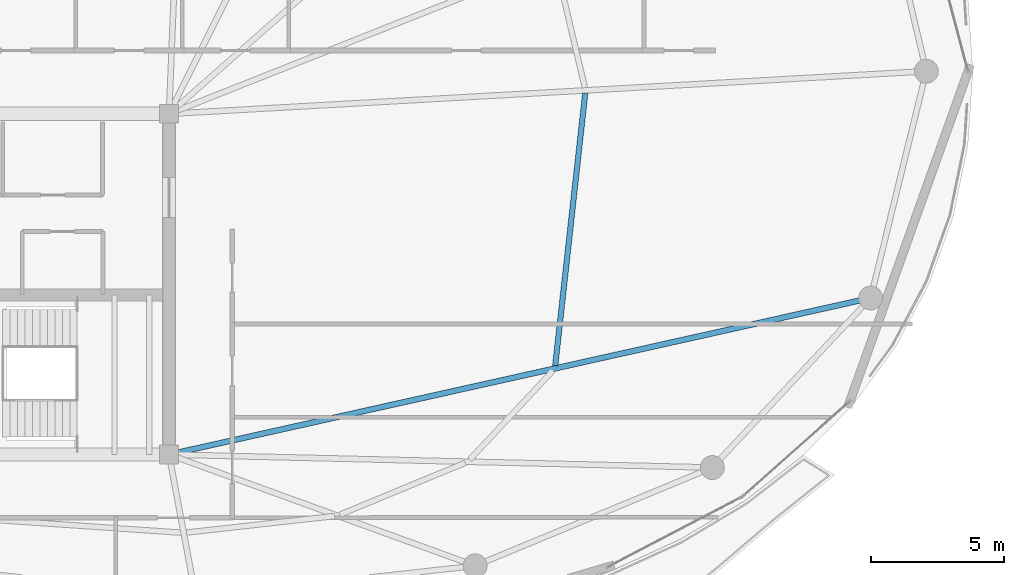
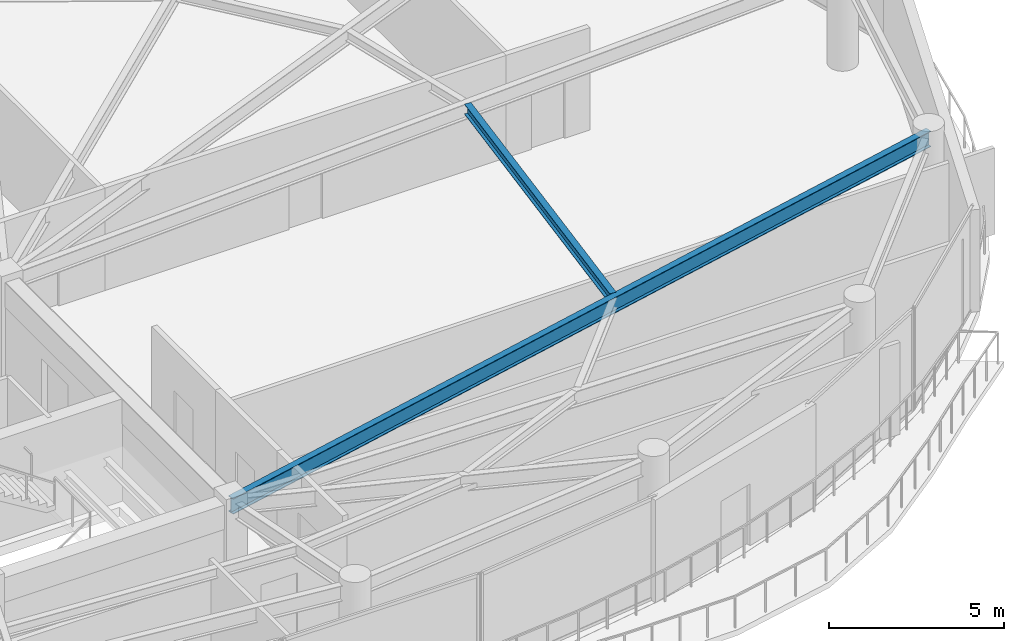
# One storey, part 14 of 29: 2 beams.
"""IFC4 building model written with IfcOpenShell, lengths in metres."""

from ifc_helpers import new_model, si_unit, direction, frame, origin, origin_2d, place, context, subcontext, project, spatial, i_section, extrude, material, material_profile, profile_set, type_object, element, save


model = new_model("IFC4")

# Units and contexts
model_context = context("Model", 3, precision=1e-05, world=origin(), true_north=direction((0.0, 1.0)))
body_context = subcontext(model_context, "Body", "Model", "MODEL_VIEW")
ifc_project = project(units=[si_unit("LENGTHUNIT", "METRE"), si_unit("AREAUNIT", "SQUARE_METRE"), si_unit("VOLUMEUNIT", "CUBIC_METRE"), si_unit("PLANEANGLEUNIT", "RADIAN"), si_unit("MASSUNIT", "GRAM", prefix="KILO")], contexts=[model_context])

# Site, building, storey
site_placement = place(None, origin())
site = spatial("IfcSite", under=ifc_project, at=site_placement, CompositionType="ELEMENT")
building_placement = place(site_placement, origin())
building = spatial("IfcBuilding", under=site, at=building_placement, Name="Kazevale Care Tower and Concert Hall", CompositionType="ELEMENT")
storey_placement = place(building_placement, frame((0.0, 0.0, 281.39990234375)))
storey = spatial("IfcBuildingStorey", under=building, at=storey_placement, Name="L74", CompositionType="ELEMENT", Elevation=281.39990234375)

# Beams
ifc_material = material(Name="Steel ASTM A572 Gr 50", Category="steel")
ifc_material_profile_1 = material_profile(ifc_material, i_section(OverallWidth=0.2119140625, OverallDepth=0.5439453125, WebThickness=0.01318359375, FlangeThickness=0.021240234375, at=origin_2d()), Name="W530x123")
ifc_profile_set_1 = profile_set([ifc_material_profile_1], Name="Steel ASTM A572 Gr 50")
beam_type_1 = type_object("IfcBeamType", Name="Radial Floor Girder W530x123", PredefinedType="BEAM", material=ifc_profile_set_1)
beam_1_placement = place(storey_placement, frame((44.0, 23.60009765625, 3.2880859375), z_axis=(0.976013614534, 0.217709495072, 0.0), x_axis=(-0.217709495072, 0.976013614534, 0.0)))
element("IfcBeam", 1, at=beam_1_placement, inside=storey, type_object=beam_type_1, Name="beam:L74:rad:16", PredefinedType="BEAM", context=body_context, shape_type="SweptSolid", body=[
    extrude(i_section(OverallWidth=0.2119140625, OverallDepth=0.5439453125, WebThickness=0.01318359375, FlangeThickness=0.021240234375, at=origin_2d()), origin(), (0.0, 0.0, 1.0), 27.0078125),
])
ifc_material_profile_2 = material_profile(ifc_material, i_section(OverallWidth=0.205078125, OverallDepth=0.35400390625, WebThickness=0.009521484375, FlangeThickness=0.016845703125, at=origin_2d()), Name="W360x79")
ifc_profile_set_2 = profile_set([ifc_material_profile_2], Name="Steel ASTM A572 Gr 50")
beam_type_2 = type_object("IfcBeamType", Name="Secondary Floor Joist W360x79", PredefinedType="JOIST", material=ifc_profile_set_2)
beam_2_placement = place(storey_placement, frame((58.509033203125, 26.93798828125, 3.383056640625), z_axis=(0.109414251474, 0.993996238209, 0.0), x_axis=(-0.993996238209, 0.109414251474, 0.0)))
element("IfcBeam", 2, at=beam_2_placement, inside=storey, type_object=beam_type_2, Name="beam:L74:joist:16", PredefinedType="JOIST", context=body_context, shape_type="SweptSolid", body=[
    extrude(i_section(OverallWidth=0.205078125, OverallDepth=0.35400390625, WebThickness=0.009521484375, FlangeThickness=0.016845703125, at=origin_2d()), origin(), (0.0, 0.0, 1.0), 10.2998046875),
])

save(model, "model.ifc")
